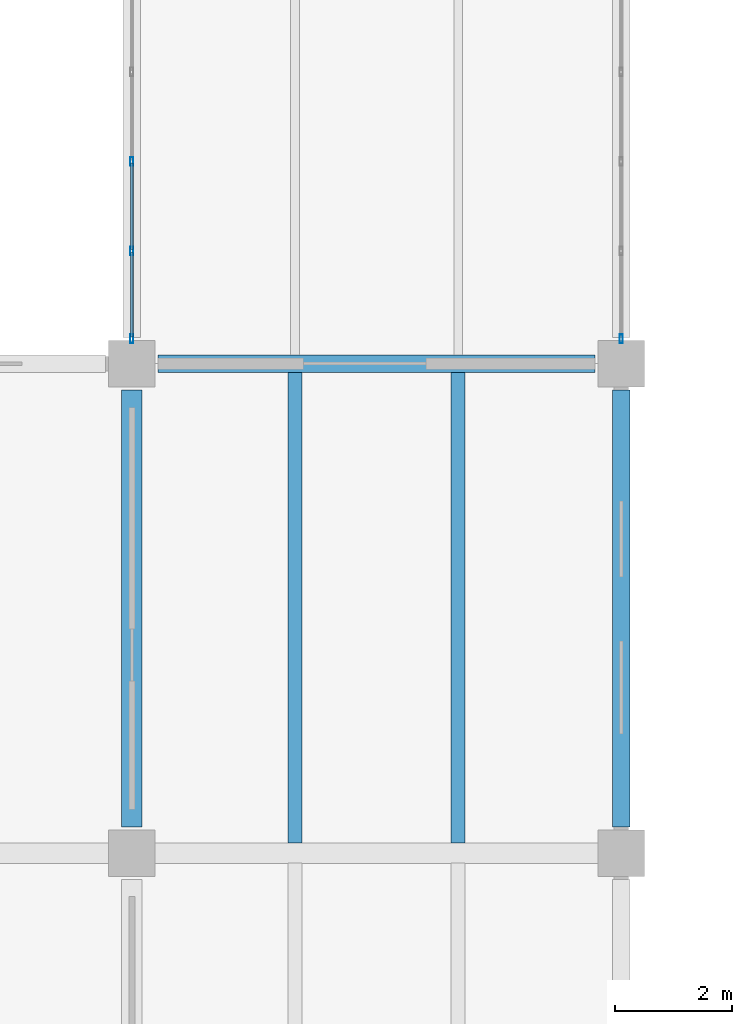
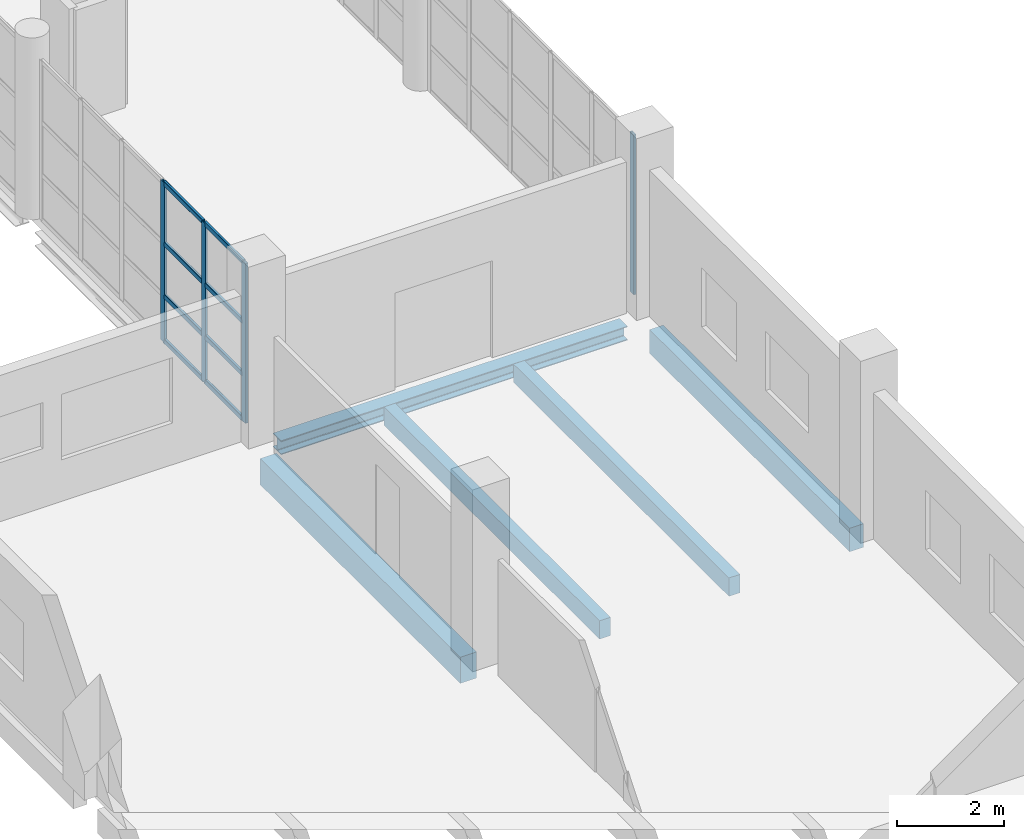
# One storey, part 32 of 177: 12 members, 5 beams, 2 elements without a shape of their own.
"""IFC4 building model written with IfcOpenShell, lengths in metres."""

import ifcopenshell
import ifcopenshell.guid

model = None  # the IFC model being written
_history = None  # IfcOwnerHistory: only IFC2X3 demands one
_inside = {}  # id of a spatial element -> (the spatial element, [elements in it])
_under = {}  # id of a project, library or spatial element -> (it, [spatial elements below it])
_declared = {}  # id of a project -> (the project, [libraries it declares])
_typed = {}  # id of a type object -> (the type object, [elements of that type])
_made_of = {}  # id of a material, layer set ... -> (it, [elements and type objects made of it])


def new_model(schema):
    """Start an empty IFC model of exactly this schema.

    Asked for "IFC4X3", IfcOpenShell would pick the latest addendum, in which some entities
    have other attributes; the version numbers below select the first issue.
    IFC2X3 requires an IfcOwnerHistory on every rooted entity: one is made here for all.
    """
    global model, _history
    if schema == "IFC4X3":
        model = ifcopenshell.file(schema_version=(4, 3, 0, 0))
    else:
        model = ifcopenshell.file(schema=schema)
    _inside.clear()
    _under.clear()
    _declared.clear()
    _typed.clear()
    _made_of.clear()
    _history = None
    if model.schema == "IFC2X3":
        org = make("IfcOrganization", Name="unknown")
        user = make(
            "IfcPersonAndOrganization",
            ThePerson=make("IfcPerson", FamilyName="unknown"),
            TheOrganization=org,
        )
        app = make(
            "IfcApplication",
            ApplicationDeveloper=org,
            Version="unknown",
            ApplicationFullName="unknown",
            ApplicationIdentifier="unknown",
        )
        _history = make(
            "IfcOwnerHistory",
            OwningUser=user,
            OwningApplication=app,
            ChangeAction="ADDED",
            CreationDate=0,
        )
    return model


def make(cls, **values):
    """One entity of the class cls with the attributes given. An attribute that is None is left unset."""
    return model.create_entity(
        cls, **{name: value for name, value in values.items() if value is not None}
    )


def rooted(cls, **values):
    """An entity with a GlobalId (a new one), such as an element, a storey or a relation."""
    return make(cls, GlobalId=ifcopenshell.guid.new(), OwnerHistory=_history, **values)


def si_unit(unit_type, name, prefix=None):
    """IfcSIUnit, for example si_unit("LENGTHUNIT", "METRE", prefix="MILLI")."""
    return make("IfcSIUnit", UnitType=unit_type, Prefix=prefix, Name=name)


def assignment(units):
    """IfcUnitAssignment: the units of a project."""
    return None if units is None else make("IfcUnitAssignment", Units=units)


def point(xyz):
    """IfcCartesianPoint."""
    return None if xyz is None else make("IfcCartesianPoint", Coordinates=xyz)


def direction(xyz):
    """IfcDirection."""
    return None if xyz is None else make("IfcDirection", DirectionRatios=xyz)


def frame(location, z_axis=None, x_axis=None):
    """IfcAxis2Placement3D, a coordinate frame: its origin and axes. An axis left out is left unset."""
    return make(
        "IfcAxis2Placement3D",
        Location=point(location),
        Axis=direction(z_axis),
        RefDirection=direction(x_axis),
    )


def frame_2d(location, x_axis=None):
    """IfcAxis2Placement2D, a coordinate frame in the plane: its origin and x axis."""
    return make(
        "IfcAxis2Placement2D", Location=point(location), RefDirection=direction(x_axis)
    )


def origin():
    """The frame at (0, 0, 0) with its axes left unset."""
    return frame((0.0, 0.0, 0.0))


def origin_2d():
    """The frame at (0, 0) in the plane with its x axis left unset."""
    return frame_2d((0.0, 0.0))


def place(relative_to, where):
    """IfcLocalPlacement: puts the frame where relative to a parent placement (None: the world)."""
    return make(
        "IfcLocalPlacement", PlacementRelTo=relative_to, RelativePlacement=where
    )


def context(
    kind, dimensions, precision=None, world=None, true_north=None, identifier=None
):
    """IfcGeometricRepresentationContext, for example the 3D "Model" context."""
    return make(
        "IfcGeometricRepresentationContext",
        ContextIdentifier=identifier,
        ContextType=kind,
        CoordinateSpaceDimension=dimensions,
        Precision=precision,
        WorldCoordinateSystem=world,
        TrueNorth=true_north,
    )


def subcontext(parent, identifier, kind, view, scale=None):
    """IfcGeometricRepresentationSubContext, for example "Body" below "Model"."""
    return make(
        "IfcGeometricRepresentationSubContext",
        ContextIdentifier=identifier,
        ContextType=kind,
        ParentContext=parent,
        TargetScale=scale,
        TargetView=view,
    )


def project(units=None, contexts=None):
    """IfcProject with its units and contexts."""
    return rooted(
        "IfcProject",
        Name="project",
        RepresentationContexts=contexts,
        UnitsInContext=assignment(units),
    )


def spatial(cls, under=None, at=None, **own):
    """A site, building, storey or space (cls), placed at a placement, below another one or the project."""
    s = rooted(cls, ObjectPlacement=at, **own)
    if under is not None:
        _under.setdefault(under.id(), (under, []))[1].append(s)
    return s


def profile(cls, at=None, kind="AREA", **sizes):
    """A parametric profile (cls). Its sizes go by their IFC names, for example OverallWidth=200.0."""
    return make(cls, ProfileType=kind, Position=at, **sizes)


def rectangle(**sizes):
    """IfcRectangleProfileDef."""
    return profile("IfcRectangleProfileDef", **sizes)


def hollow_rectangle(**sizes):
    """IfcRectangleHollowProfileDef."""
    return profile("IfcRectangleHollowProfileDef", **sizes)


def i_section(**sizes):
    """IfcIShapeProfileDef."""
    return profile("IfcIShapeProfileDef", **sizes)


def extrude(swept, where, along, depth):
    """IfcExtrudedAreaSolid: the profile swept, set in the frame where, extruded along a direction by depth."""
    return make(
        "IfcExtrudedAreaSolid",
        SweptArea=swept,
        Position=where,
        ExtrudedDirection=direction(along),
        Depth=depth,
    )


def shape(context_of_items, identifier, shape_type, items):
    """IfcShapeRepresentation: the items that make up one representation, for example the "Body"."""
    return make(
        "IfcShapeRepresentation",
        ContextOfItems=context_of_items,
        RepresentationIdentifier=identifier,
        RepresentationType=shape_type,
        Items=items,
    )


def material(Name=None, Category=None):
    """IfcMaterial."""
    return make("IfcMaterial", Name=Name, Category=Category)


def layer(
    of_material, thickness, ventilated=None, Name=None, Category=None, Priority=None
):
    """IfcMaterialLayer: one layer of a wall or slab, of a material (None: an air gap)."""
    return make(
        "IfcMaterialLayer",
        Material=of_material,
        LayerThickness=thickness,
        IsVentilated=ventilated,
        Name=Name,
        Category=Category,
        Priority=Priority,
    )


def layer_set(layers, Name=None):
    """IfcMaterialLayerSet."""
    return make("IfcMaterialLayerSet", MaterialLayers=layers, LayerSetName=Name)


def material_profile(
    of_material, cross_section, Name=None, Category=None, Priority=None
):
    """IfcMaterialProfile: a cross section and its material."""
    return make(
        "IfcMaterialProfile",
        Name=Name,
        Material=of_material,
        Profile=cross_section,
        Priority=Priority,
        Category=Category,
    )


def profile_set(profiles, Name=None, composite=None):
    """IfcMaterialProfileSet."""
    return make(
        "IfcMaterialProfileSet",
        Name=Name,
        MaterialProfiles=profiles,
        CompositeProfile=composite,
    )


def made_of(thing, what):
    """Note that an element or type object is made of a material, layer set ...; save() writes the relation."""
    if what is not None:
        _made_of.setdefault(what.id(), (what, []))[1].append(thing)
    return thing


def type_object(cls, material=None, **own):
    """A type object (cls), such as IfcWallType, which elements share."""
    return made_of(rooted(cls, **own), material)


def element(
    cls,
    number,
    at=None,
    inside=None,
    cuts=None,
    type_object=None,
    material=None,
    context=None,
    identifier="Body",
    shape_type=None,
    held_by="IfcProductDefinitionShape",
    body=None,
    shapes=None,
    **own,
):
    """One element of the class cls, such as IfcWall. Its Tag is "e" and its number.

    at: its placement. inside: the storey or other place that contains it. cuts: it is an
    opening in that element (IfcRelVoidsElement). A single representation is given by context,
    identifier, shape_type and body (its items); several are given by shapes. held_by: the class
    of the entity that holds the representations. save() writes the other relations.
    """
    e = rooted(cls, Tag="e%d" % number, ObjectPlacement=at, **own)
    if body is not None:
        shapes = [shape(context, identifier, shape_type, body)]
    if shapes is not None:
        e.Representation = make(held_by, Representations=shapes)
    if inside is not None:
        _inside.setdefault(inside.id(), (inside, []))[1].append(e)
    if cuts is not None:
        rooted(
            "IfcRelVoidsElement", RelatingBuildingElement=cuts, RelatedOpeningElement=e
        )
    if type_object is not None:
        _typed.setdefault(type_object.id(), (type_object, []))[1].append(e)
    return made_of(e, material)


def aggregate(whole, parts):
    """IfcRelAggregates: a whole, such as a stair, and the parts it consists of."""
    return rooted("IfcRelAggregates", RelatingObject=whole, RelatedObjects=parts)


def save(model, path):
    """Write the relations noted so far, then the file.

    IfcRelAggregates (storeys below a building ...), IfcRelContainedInSpatialStructure (elements
    in a storey), IfcRelDefinesByType, IfcRelAssociatesMaterial and IfcRelDeclares: one each for
    every whole, place, type object, material and project.
    """
    for whole, parts in _under.values():
        aggregate(whole, parts)
    for where, things in _inside.values():
        rooted(
            "IfcRelContainedInSpatialStructure",
            RelatedElements=things,
            RelatingStructure=where,
        )
    for kind, things in _typed.values():
        rooted("IfcRelDefinesByType", RelatedObjects=things, RelatingType=kind)
    for what, things in _made_of.values():
        rooted("IfcRelAssociatesMaterial", RelatedObjects=things, RelatingMaterial=what)
    for by, libraries in _declared.values():
        rooted("IfcRelDeclares", RelatingContext=by, RelatedDefinitions=libraries)
    model.write(path)


model = new_model("IFC4")

# Units and contexts
model_context = context("Model", 3, precision=1e-05, world=origin(), true_north=direction((0.0, 1.0)))
body_context = subcontext(model_context, "Body", "Model", "MODEL_VIEW")
ifc_project = project(units=[si_unit("LENGTHUNIT", "METRE"), si_unit("AREAUNIT", "SQUARE_METRE"), si_unit("VOLUMEUNIT", "CUBIC_METRE"), si_unit("PLANEANGLEUNIT", "RADIAN"), si_unit("MASSUNIT", "GRAM", prefix="KILO"), si_unit("THERMODYNAMICTEMPERATUREUNIT", "KELVIN"), si_unit("POWERUNIT", "WATT")], contexts=[model_context])

# Site, building, storey
site_placement = place(None, origin())
site = spatial("IfcSite", under=ifc_project, at=site_placement, CompositionType="ELEMENT")
building_placement = place(site_placement, origin())
building = spatial("IfcBuilding", under=site, at=building_placement, Name="Mavoryth Pier Ferry Terminal", CompositionType="ELEMENT")
storey_placement = place(building_placement, frame((0.0, 0.0, 5.43994140625)))
storey = spatial("IfcBuildingStorey", under=building, at=storey_placement, Name="L01", CompositionType="ELEMENT", Elevation=5.43994140625)

# Beams
ifc_material_1 = material(Name="Concrete C35/45", Category="concrete")
ifc_material_profile_1 = material_profile(ifc_material_1, rectangle(XDim=0.35009765625, YDim=0.60009765625, at=origin_2d()), Name="RC 350x600", Category="concrete")
ifc_profile_set_1 = profile_set([ifc_material_profile_1], Name="Concrete C35/45 - RC 350x600")
beam_type_1 = type_object("IfcBeamType", Name="Girder-RC-350x600", PredefinedType="BEAM", material=ifc_profile_set_1)
beam_1_placement = place(storey_placement, frame((50.39990234375, 30.85009765625, -0.56005859375), z_axis=(0.0, 1.0, 0.0), x_axis=(-1.0, 0.0, 0.0)))
element("IfcBeam", 1, at=beam_1_placement, inside=storey, type_object=beam_type_1, Name="Beam B01-BG08-0593", PredefinedType="BEAM", context=body_context, shape_type="SweptSolid", body=[
    extrude(rectangle(XDim=0.35009765625, YDim=0.60009765625, at=origin_2d()), origin(), (0.0, 0.0, 1.0), 7.5),
])
ifc_material_profile_2 = material_profile(ifc_material_1, rectangle(XDim=0.239990234375, YDim=0.419921875, at=origin_2d()), Name="RC 240x420", Category="concrete")
ifc_profile_set_2 = profile_set([ifc_material_profile_2], Name="Concrete C35/45 - RC 240x420")
beam_type_2 = type_object("IfcBeamType", Name="Joist-RC-240x420", PredefinedType="JOIST", material=ifc_profile_set_2)
for number, where, z_axis, x_axis, name in (
    (2, (53.199951171875, 30.574951171875, -0.469970703125), (0.0, 1.0, 0.0), (-1.0, 0.0, 0.0), "Beam B01-BJ04-0602"),
    (3, (56.0, 30.574951171875, -0.469970703125), (0.0, 1.0, 0.0), (-1.0, 0.0, 0.0), "Beam B01-BJ04-0603"),
):
    element("IfcBeam", number, at=place(storey_placement, frame(where, z_axis=z_axis, x_axis=x_axis)), inside=storey, type_object=beam_type_2, Name=name, PredefinedType="JOIST", context=body_context, shape_type="SweptSolid", body=[
        extrude(rectangle(XDim=0.239990234375, YDim=0.419921875, at=origin_2d()), origin(), (0.0, 0.0, 1.0), 8.074951171875),
    ])

# Curtain wall, members
ifc_material_2 = material(Name="Anodised Aluminium and Solar-Control Low-E Glass", Category="aluminium")
ifc_layer = layer(ifc_material_2, 0.1201171875, Name="Anodised Aluminium and Solar-Control Low-E Glass", Category="aluminium")
ifc_layer_set = layer_set([ifc_layer], Name="Anodised Aluminium and Solar-Control Low-E Glass - CW-BridgeLink-Mod1400")
curtain_wall_type = type_object("IfcCurtainWallType", Name="CW-BridgeLink-Mod1400", PredefinedType="USERDEFINED", material=ifc_layer_set)
curtain_wall_1_placement = place(storey_placement, origin())
curtain_wall_1 = element("IfcCurtainWall", 4, at=curtain_wall_1_placement, inside=storey, type_object=curtain_wall_type, Name="Curtain Wall CW-0111-102", ObjectType="UNITISED CURTAIN WALL", PredefinedType="USERDEFINED")
ifc_material_3 = material(Name="Anodised Aluminium EN AW-6063", Category="aluminium")
ifc_material_profile_3 = material_profile(ifc_material_3, hollow_rectangle(XDim=0.054931640625, YDim=0.14990234375, WallThickness=0.00390625, InnerFilletRadius=0.00390625, OuterFilletRadius=0.008056640625, at=origin_2d()), Name="AL-MULL 150x55x4", Category="aluminium")
ifc_profile_set_3 = profile_set([ifc_material_profile_3], Name="Anodised Aluminium EN AW-6063 - AL-MULL 150x55x4")
member_type_1 = type_object("IfcMemberType", Name="Mullion-Alum-150x55", PredefinedType="MULLION", material=ifc_profile_set_3)
member_1_placement = place(storey_placement, frame((50.39990234375, 42.27001953125, 0.0), z_axis=(0.0, 0.0, 1.0), x_axis=(1.0, 0.0, 0.0)))
member_1 = element("IfcMember", 5, at=member_1_placement, type_object=member_type_1, Name="CW08 mullion 4", PredefinedType="MULLION", context=body_context, shape_type="SweptSolid", body=[
    extrude(hollow_rectangle(XDim=0.054931640625, YDim=0.14990234375, WallThickness=0.00390625, InnerFilletRadius=0.00390625, OuterFilletRadius=0.008056640625, at=origin_2d()), origin(), (0.0, 0.0, 1.0), 3.655029296875),
])
member_2_placement = place(storey_placement, frame((50.39990234375, 40.735107421875, 0.0), z_axis=(0.0, 0.0, 1.0), x_axis=(1.0, 0.0, 0.0)))
member_2 = element("IfcMember", 6, at=member_2_placement, type_object=member_type_1, Name="CW08 mullion 5", PredefinedType="MULLION", context=body_context, shape_type="SweptSolid", body=[
    extrude(hollow_rectangle(XDim=0.054931640625, YDim=0.14990234375, WallThickness=0.00390625, InnerFilletRadius=0.00390625, OuterFilletRadius=0.008056640625, at=origin_2d()), origin(), (0.0, 0.0, 1.0), 3.655029296875),
])
member_3_placement = place(storey_placement, frame((50.39990234375, 39.2275390625, 0.0), z_axis=(0.0, 0.0, 1.0), x_axis=(1.0, 0.0, 0.0)))
member_3 = element("IfcMember", 7, at=member_3_placement, type_object=member_type_1, Name="CW08 mullion 6", PredefinedType="MULLION", context=body_context, shape_type="SweptSolid", body=[
    extrude(hollow_rectangle(XDim=0.054931640625, YDim=0.14990234375, WallThickness=0.00390625, InnerFilletRadius=0.00390625, OuterFilletRadius=0.008056640625, at=origin_2d()), origin(), (0.0, 0.0, 1.0), 3.655029296875),
])

# Curtain wall, member
curtain_wall_2_placement = place(storey_placement, origin())
curtain_wall_2 = element("IfcCurtainWall", 8, at=curtain_wall_2_placement, inside=storey, type_object=curtain_wall_type, Name="Curtain Wall CW-0111-103", ObjectType="UNITISED CURTAIN WALL", PredefinedType="USERDEFINED")
member_4_placement = place(storey_placement, frame((58.800048828125, 39.2275390625, 0.0), z_axis=(0.0, 0.0, 1.0), x_axis=(-1.0, 0.0, 0.0)))
member_4 = element("IfcMember", 9, at=member_4_placement, type_object=member_type_1, Name="CW08 mullion 1", PredefinedType="MULLION", context=body_context, shape_type="SweptSolid", body=[
    extrude(hollow_rectangle(XDim=0.054931640625, YDim=0.14990234375, WallThickness=0.00390625, InnerFilletRadius=0.00390625, OuterFilletRadius=0.008056640625, at=origin_2d()), origin(), (0.0, 0.0, 1.0), 3.655029296875),
])
aggregate(curtain_wall_2, [member_4])

# Beams
ifc_material_profile_4 = material_profile(ifc_material_1, rectangle(XDim=0.300048828125, YDim=0.5400390625, at=origin_2d()), Name="RC 300x540", Category="concrete")
ifc_profile_set_4 = profile_set([ifc_material_profile_4], Name="Concrete C35/45 - RC 300x540")
beam_type_3 = type_object("IfcBeamType", Name="Spandrel-RC-300x540", PredefinedType="SPANDREL", material=ifc_profile_set_4)
beam_2_placement = place(storey_placement, frame((58.800048828125, 30.85009765625, -0.530029296875), z_axis=(0.0, 1.0, 0.0), x_axis=(-1.0, 0.0, 0.0)))
element("IfcBeam", 10, at=beam_2_placement, inside=storey, type_object=beam_type_3, Name="Beam B01-SP02-0595", PredefinedType="SPANDREL", context=body_context, shape_type="SweptSolid", body=[
    extrude(rectangle(XDim=0.300048828125, YDim=0.5400390625, at=origin_2d()), origin(), (0.0, 0.0, 1.0), 7.5),
])
ifc_material_4 = material(Name="Steel S355J2", Category="steel")
ifc_material_profile_5 = material_profile(ifc_material_4, i_section(OverallWidth=0.300048828125, OverallDepth=0.320068359375, WebThickness=0.011474609375, FlangeThickness=0.0205078125, FilletRadius=0.027099609375, at=origin_2d()), Name="HEB 320", Category="steel")
ifc_profile_set_5 = profile_set([ifc_material_profile_5], Name="Steel S355J2 - HEB 320")
beam_type_4 = type_object("IfcBeamType", Name="Spandrel-Steel-HEB320", PredefinedType="SPANDREL", material=ifc_profile_set_5)
beam_3_placement = place(storey_placement, frame((50.85009765625, 38.800048828125, -0.419921875), z_axis=(1.0, 0.0, 0.0), x_axis=(0.0, 1.0, 0.0)))
element("IfcBeam", 11, at=beam_3_placement, inside=storey, type_object=beam_type_4, Name="Beam B01-SP04-0159", PredefinedType="SPANDREL", context=body_context, shape_type="SweptSolid", body=[
    extrude(i_section(OverallWidth=0.300048828125, OverallDepth=0.320068359375, WebThickness=0.011474609375, FlangeThickness=0.0205078125, FilletRadius=0.027099609375, at=origin_2d()), origin(), (0.0, 0.0, 1.0), 7.5),
])

# Member
ifc_material_profile_6 = material_profile(ifc_material_3, hollow_rectangle(XDim=0.054931640625, YDim=0.110107421875, WallThickness=0.00390625, InnerFilletRadius=0.00390625, OuterFilletRadius=0.008056640625, at=origin_2d()), Name="AL-TRAN 110x55x4", Category="aluminium")
ifc_profile_set_6 = profile_set([ifc_material_profile_6], Name="Anodised Aluminium EN AW-6063 - AL-TRAN 110x55x4")
member_type_2 = type_object("IfcMemberType", Name="Transom-Alum-110x55", PredefinedType="USERDEFINED", material=ifc_profile_set_6)
member_5_placement = place(storey_placement, frame((50.39990234375, 42.242431640625, 0.027587890625), z_axis=(0.0, -1.0, 0.0), x_axis=(1.0, 0.0, 0.0)))
member_5 = element("IfcMember", 12, at=member_5_placement, type_object=member_type_2, Name="CW08 transom 4.1", ObjectType="TRANSOM", PredefinedType="USERDEFINED", context=body_context, shape_type="SweptSolid", body=[
    extrude(hollow_rectangle(XDim=0.054931640625, YDim=0.110107421875, WallThickness=0.00390625, InnerFilletRadius=0.00390625, OuterFilletRadius=0.008056640625, at=origin_2d()), origin(), (0.0, 0.0, 1.0), 1.47998046875),
])

member_6_placement = place(storey_placement, frame((50.39990234375, 42.242431640625, 1.050048828125), z_axis=(0.0, -1.0, 0.0), x_axis=(1.0, 0.0, 0.0)))
member_6 = element("IfcMember", 13, at=member_6_placement, type_object=member_type_2, Name="CW08 transom 4.2", ObjectType="TRANSOM", PredefinedType="USERDEFINED", context=body_context, shape_type="SweptSolid", body=[
    extrude(hollow_rectangle(XDim=0.054931640625, YDim=0.110107421875, WallThickness=0.00390625, InnerFilletRadius=0.00390625, OuterFilletRadius=0.008056640625, at=origin_2d()), origin(), (0.0, 0.0, 1.0), 1.47998046875),
])

member_7_placement = place(storey_placement, frame((50.39990234375, 42.242431640625, 2.25), z_axis=(0.0, -1.0, 0.0), x_axis=(1.0, 0.0, 0.0)))
member_7 = element("IfcMember", 14, at=member_7_placement, type_object=member_type_2, Name="CW08 transom 4.3", ObjectType="TRANSOM", PredefinedType="USERDEFINED", context=body_context, shape_type="SweptSolid", body=[
    extrude(hollow_rectangle(XDim=0.054931640625, YDim=0.110107421875, WallThickness=0.00390625, InnerFilletRadius=0.00390625, OuterFilletRadius=0.008056640625, at=origin_2d()), origin(), (0.0, 0.0, 1.0), 1.47998046875),
])

member_8_placement = place(storey_placement, frame((50.39990234375, 42.242431640625, 3.62744140625), z_axis=(0.0, -1.0, 0.0), x_axis=(1.0, 0.0, 0.0)))
member_8 = element("IfcMember", 15, at=member_8_placement, type_object=member_type_2, Name="CW08 transom 4.4", ObjectType="TRANSOM", PredefinedType="USERDEFINED", context=body_context, shape_type="SweptSolid", body=[
    extrude(hollow_rectangle(XDim=0.054931640625, YDim=0.110107421875, WallThickness=0.00390625, InnerFilletRadius=0.00390625, OuterFilletRadius=0.008056640625, at=origin_2d()), origin(), (0.0, 0.0, 1.0), 1.47998046875),
])

member_9_placement = place(storey_placement, frame((50.39990234375, 40.70751953125, 0.027587890625), z_axis=(0.0, -1.0, 0.0), x_axis=(1.0, 0.0, 0.0)))
member_9 = element("IfcMember", 16, at=member_9_placement, type_object=member_type_2, Name="CW08 transom 5.1", ObjectType="TRANSOM", PredefinedType="USERDEFINED", context=body_context, shape_type="SweptSolid", body=[
    extrude(hollow_rectangle(XDim=0.054931640625, YDim=0.110107421875, WallThickness=0.00390625, InnerFilletRadius=0.00390625, OuterFilletRadius=0.008056640625, at=origin_2d()), origin(), (0.0, 0.0, 1.0), 1.45263671875),
])

member_10_placement = place(storey_placement, frame((50.39990234375, 40.70751953125, 1.050048828125), z_axis=(0.0, -1.0, 0.0), x_axis=(1.0, 0.0, 0.0)))
member_10 = element("IfcMember", 17, at=member_10_placement, type_object=member_type_2, Name="CW08 transom 5.2", ObjectType="TRANSOM", PredefinedType="USERDEFINED", context=body_context, shape_type="SweptSolid", body=[
    extrude(hollow_rectangle(XDim=0.054931640625, YDim=0.110107421875, WallThickness=0.00390625, InnerFilletRadius=0.00390625, OuterFilletRadius=0.008056640625, at=origin_2d()), origin(), (0.0, 0.0, 1.0), 1.45263671875),
])

member_11_placement = place(storey_placement, frame((50.39990234375, 40.70751953125, 2.25), z_axis=(0.0, -1.0, 0.0), x_axis=(1.0, 0.0, 0.0)))
member_11 = element("IfcMember", 18, at=member_11_placement, type_object=member_type_2, Name="CW08 transom 5.3", ObjectType="TRANSOM", PredefinedType="USERDEFINED", context=body_context, shape_type="SweptSolid", body=[
    extrude(hollow_rectangle(XDim=0.054931640625, YDim=0.110107421875, WallThickness=0.00390625, InnerFilletRadius=0.00390625, OuterFilletRadius=0.008056640625, at=origin_2d()), origin(), (0.0, 0.0, 1.0), 1.45263671875),
])

member_12_placement = place(storey_placement, frame((50.39990234375, 40.70751953125, 3.62744140625), z_axis=(0.0, -1.0, 0.0), x_axis=(1.0, 0.0, 0.0)))
member_12 = element("IfcMember", 19, at=member_12_placement, type_object=member_type_2, Name="CW08 transom 5.4", ObjectType="TRANSOM", PredefinedType="USERDEFINED", context=body_context, shape_type="SweptSolid", body=[
    extrude(hollow_rectangle(XDim=0.054931640625, YDim=0.110107421875, WallThickness=0.00390625, InnerFilletRadius=0.00390625, OuterFilletRadius=0.008056640625, at=origin_2d()), origin(), (0.0, 0.0, 1.0), 1.45263671875),
])

aggregate(curtain_wall_1, [member_1, member_2, member_3, member_5, member_6, member_7, member_8, member_9, member_10, member_11, member_12])

save(model, "model.ifc")
